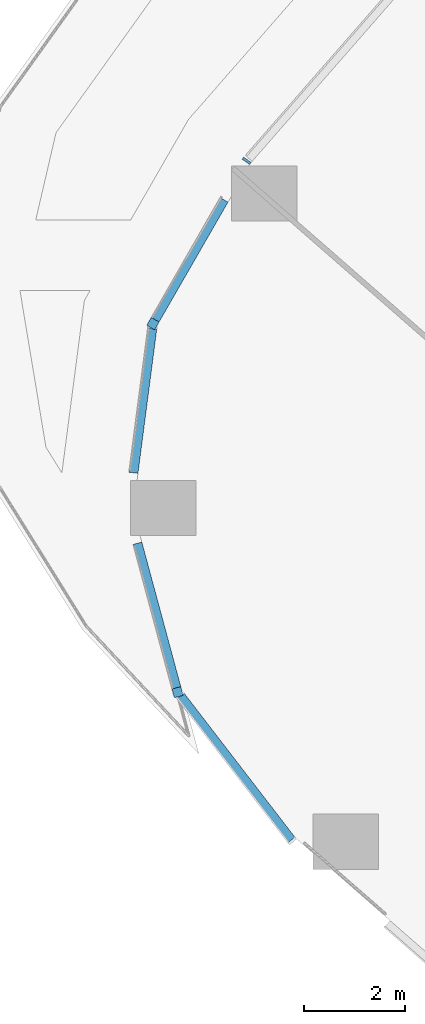
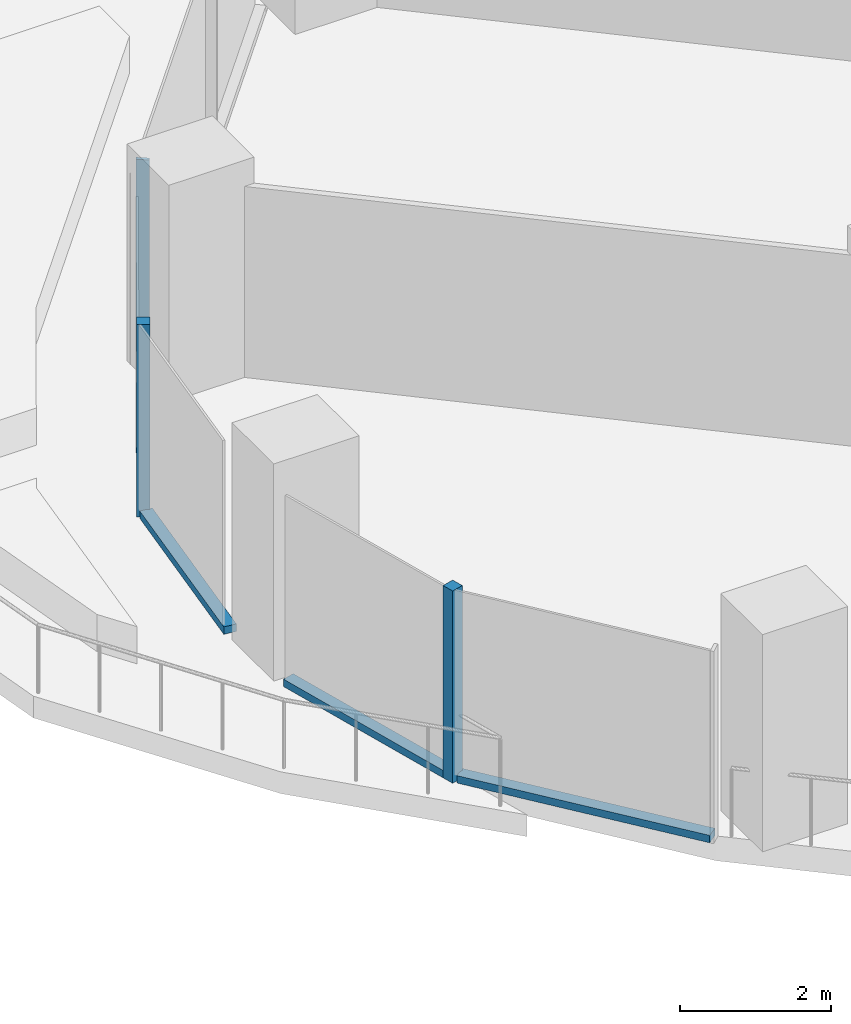
# One storey, part 3 of 32: 7 members, 5 elements without a shape of their own.
"""IFC4 building model written with IfcOpenShell, lengths in metres."""

from ifc_helpers import new_model, si_unit, direction, frame, origin, origin_2d, place, context, subcontext, project, spatial, rectangle, extrude, material, material_profile, profile_set, type_object, element, aggregate, save


model = new_model("IFC4")

# Units and contexts
model_context = context("Model", 3, precision=1e-05, world=origin(), true_north=direction((0.0, 1.0)))
body_context = subcontext(model_context, "Body", "Model", "MODEL_VIEW")
ifc_project = project(units=[si_unit("LENGTHUNIT", "METRE"), si_unit("AREAUNIT", "SQUARE_METRE"), si_unit("VOLUMEUNIT", "CUBIC_METRE"), si_unit("PLANEANGLEUNIT", "RADIAN"), si_unit("MASSUNIT", "GRAM", prefix="KILO")], contexts=[model_context])

# Site, building, storey
site_placement = place(None, origin())
site = spatial("IfcSite", under=ifc_project, at=site_placement, CompositionType="ELEMENT")
building_placement = place(site_placement, origin())
building = spatial("IfcBuilding", under=site, at=building_placement, Name="Orlundy Tower", CompositionType="ELEMENT")
storey_placement = place(building_placement, frame((0.0, 0.0, 58.800048828125)))
storey = spatial("IfcBuildingStorey", under=building, at=storey_placement, Name="L13", CompositionType="ELEMENT", Elevation=58.800048828125)

# Curtain wall, member
ifc_material_1 = material(Name="Aluminium bronze anodised", Category="aluminium")
curtain_wall_type = type_object("IfcCurtainWallType", Name="CW1 wall", PredefinedType="NOTDEFINED", material=ifc_material_1)
curtain_wall_1_placement = place(storey_placement, origin())
curtain_wall_1 = element("IfcCurtainWall", 1, at=curtain_wall_1_placement, inside=storey, type_object=curtain_wall_type, Name="CW1 run 09", PredefinedType="NOTDEFINED")
ifc_material_2 = material(Name="Aluminium bronze anodised", Category="aluminium")
ifc_material_profile_1 = material_profile(ifc_material_2, rectangle(XDim=0.179931640625, YDim=0.179931640625, at=origin_2d()), Name="CW1 corner post 180x180")
ifc_profile_set_1 = profile_set([ifc_material_profile_1], Name="Aluminium bronze anodised")
member_type_1 = type_object("IfcMemberType", Name="CW1 corner post 180x180", PredefinedType="MULLION", material=ifc_profile_set_1)
member_1_placement = place(storey_placement, frame((-49.413330078125, -34.982666015625, 0.0), z_axis=(0.0, 0.0, 1.0), x_axis=(-0.965519317919, -0.260331417091, 0.0)))
member_1 = element("IfcMember", 2, at=member_1_placement, type_object=member_type_1, Name="CW1 mullion 23", PredefinedType="MULLION", context=body_context, shape_type="SweptSolid", body=[
    extrude(rectangle(XDim=0.179931640625, YDim=0.179931640625, at=origin_2d()), origin(), (0.0, 0.0, 1.0), 3.099853515625),
])

curtain_wall_2_placement = place(storey_placement, origin())
curtain_wall_2 = element("IfcCurtainWall", 3, at=curtain_wall_2_placement, inside=storey, type_object=curtain_wall_type, Name="CW1 run 011", PredefinedType="NOTDEFINED")
member_2_placement = place(storey_placement, frame((-49.904052734375, -27.65869140625, 0.0), z_axis=(0.0, 0.0, 1.0), x_axis=(-0.866845089361, 0.498577567738, 0.0)))
member_2 = element("IfcMember", 4, at=member_2_placement, type_object=member_type_1, Name="CW1 mullion 25", PredefinedType="MULLION", context=body_context, shape_type="SweptSolid", body=[
    extrude(rectangle(XDim=0.179931640625, YDim=0.179931640625, at=origin_2d()), origin(), (0.0, 0.0, 1.0), 3.099853515625),
])

curtain_wall_3_placement = place(storey_placement, origin())
curtain_wall_3 = element("IfcCurtainWall", 5, at=curtain_wall_3_placement, inside=storey, type_object=curtain_wall_type, Name="CW1 run 012", PredefinedType="NOTDEFINED")
ifc_material_3 = material(Name="Aluminium bronze anodised", Category="aluminium")
ifc_material_profile_2 = material_profile(ifc_material_3, rectangle(XDim=0.179931640625, YDim=0.050048828125, at=origin_2d()), Name="CW1 mullion 50x180")
ifc_profile_set_2 = profile_set([ifc_material_profile_2], Name="Aluminium bronze anodised")
member_type_2 = type_object("IfcMemberType", Name="CW1 mullion 50x180", PredefinedType="MULLION", material=ifc_profile_set_2)
member_3_placement = place(storey_placement, frame((-48.04248046875, -24.42236328125, 0.0), z_axis=(0.0, 0.0, 1.0), x_axis=(-0.813739112089, 0.581230296402, 0.0)))
member_3 = element("IfcMember", 6, at=member_3_placement, type_object=member_type_2, Name="CW1 mullion 26", PredefinedType="MULLION", context=body_context, shape_type="SweptSolid", body=[
    extrude(rectangle(XDim=0.179931640625, YDim=0.050048828125, at=origin_2d()), origin(), (0.0, 0.0, 1.0), 3.099853515625),
])
aggregate(curtain_wall_3, [member_3])

curtain_wall_4_placement = place(storey_placement, origin())
curtain_wall_4 = element("IfcCurtainWall", 7, at=curtain_wall_4_placement, inside=storey, type_object=curtain_wall_type, Name="CW1 run 08", PredefinedType="NOTDEFINED")
ifc_material_4 = material(Name="Aluminium bronze anodised", Category="aluminium")
ifc_material_profile_3 = material_profile(ifc_material_4, rectangle(XDim=0.179931640625, YDim=0.1201171875, at=origin_2d()), Name="CW1 transom 180x120")
ifc_profile_set_3 = profile_set([ifc_material_profile_3], Name="Aluminium bronze anodised")
member_type_3 = type_object("IfcMemberType", Name="CW1 transom 180x120", PredefinedType="USERDEFINED", material=ifc_profile_set_3)
member_4_placement = place(storey_placement, frame((-47.151123046875, -37.922119140625, 0.06005859375), z_axis=(-0.609861021509, 0.792508381309, 0.0), x_axis=(-0.792508381309, -0.609861021509, 0.0)))
member_4 = element("IfcMember", 8, at=member_4_placement, type_object=member_type_3, Name="CW1 transom", ObjectType="TRANSOM", PredefinedType="USERDEFINED", context=body_context, shape_type="SweptSolid", body=[
    extrude(rectangle(XDim=0.179931640625, YDim=0.1201171875, at=origin_2d()), origin(), (0.0, 0.0, 1.0), 3.61181640625),
])
aggregate(curtain_wall_4, [member_4])

# Member
member_5_placement = place(storey_placement, frame((-49.436767578125, -34.895751953125, 0.06005859375), z_axis=(-0.260276552613, 0.965534109268, 0.0), x_axis=(-0.965534109268, -0.260276552613, 0.0)))
member_5 = element("IfcMember", 9, at=member_5_placement, type_object=member_type_3, Name="CW1 transom", ObjectType="TRANSOM", PredefinedType="USERDEFINED", context=body_context, shape_type="SweptSolid", body=[
    extrude(rectangle(XDim=0.179931640625, YDim=0.1201171875, at=origin_2d()), origin(), (0.0, 0.0, 1.0), 2.975341796875),
])

aggregate(curtain_wall_1, [member_1, member_5])

# Curtain wall, member
curtain_wall_5_placement = place(storey_placement, origin())
curtain_wall_5 = element("IfcCurtainWall", 10, at=curtain_wall_5_placement, inside=storey, type_object=curtain_wall_type, Name="CW1 run 010", PredefinedType="NOTDEFINED")
member_6_placement = place(storey_placement, frame((-50.290283203125, -30.623046875, 0.06005859375), z_axis=(0.129238137404, 0.99161358595, 0.0), x_axis=(-0.99161358595, 0.129238137404, 0.0)))
member_6 = element("IfcMember", 11, at=member_6_placement, type_object=member_type_3, Name="CW1 transom", ObjectType="TRANSOM", PredefinedType="USERDEFINED", context=body_context, shape_type="SweptSolid", body=[
    extrude(rectangle(XDim=0.179931640625, YDim=0.1201171875, at=origin_2d()), origin(), (0.0, 0.0, 1.0), 2.89208984375),
])
aggregate(curtain_wall_5, [member_6])

# Member
member_7_placement = place(storey_placement, frame((-49.859130859375, -27.58056640625, 0.06005859375), z_axis=(0.498586294295, 0.866840070106, 0.0), x_axis=(-0.866840070106, 0.498586294295, 0.0)))
member_7 = element("IfcMember", 12, at=member_7_placement, type_object=member_type_3, Name="CW1 transom", ObjectType="TRANSOM", PredefinedType="USERDEFINED", context=body_context, shape_type="SweptSolid", body=[
    extrude(rectangle(XDim=0.179931640625, YDim=0.1201171875, at=origin_2d()), origin(), (0.0, 0.0, 1.0), 2.748046875),
])

aggregate(curtain_wall_2, [member_2, member_7])

save(model, "model.ifc")
